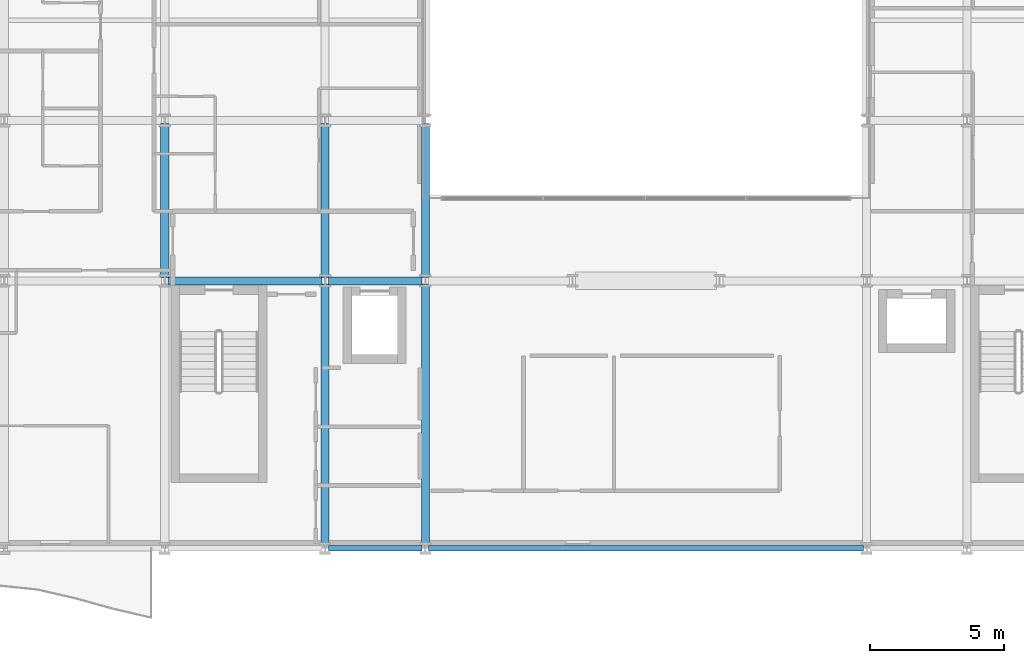
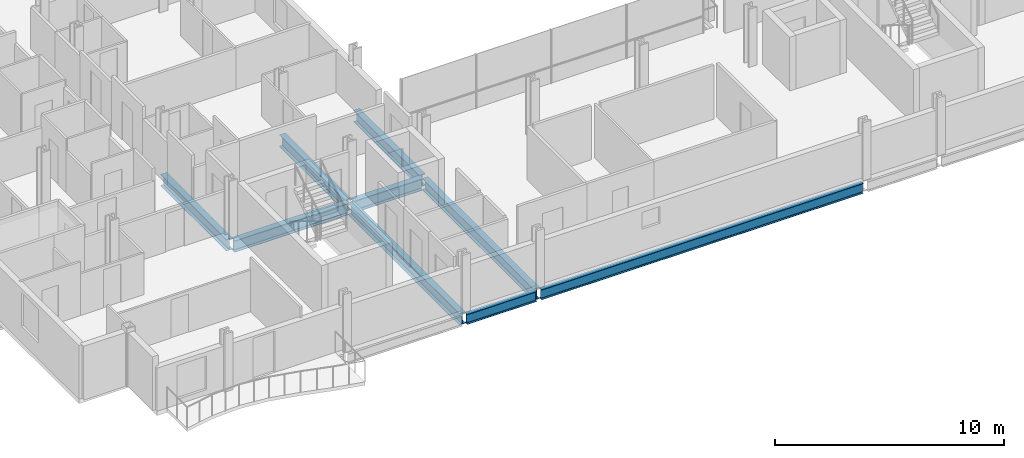
# One storey, part 3 of 40: 9 beams.
"""IFC4 building model written with IfcOpenShell, lengths in metres."""

from ifc_helpers import new_model, si_unit, direction, frame, origin, origin_2d, place, context, subcontext, project, spatial, i_section, extrude, material, material_profile, profile_set, type_object, element, save


model = new_model("IFC4")

# Units and contexts
model_context = context("Model", 3, precision=1e-05, world=origin(), true_north=direction((0.0, 1.0)))
body_context = subcontext(model_context, "Body", "Model", "MODEL_VIEW")
ifc_project = project(units=[si_unit("LENGTHUNIT", "METRE"), si_unit("AREAUNIT", "SQUARE_METRE"), si_unit("VOLUMEUNIT", "CUBIC_METRE"), si_unit("PLANEANGLEUNIT", "RADIAN"), si_unit("MASSUNIT", "GRAM", prefix="KILO")], contexts=[model_context])

# Site, building, storey
site_placement = place(None, origin())
site = spatial("IfcSite", under=ifc_project, at=site_placement, CompositionType="ELEMENT")
building_placement = place(site_placement, origin())
building = spatial("IfcBuilding", under=site, at=building_placement, Name="Brevholm Reach", CompositionType="ELEMENT")
storey_placement = place(building_placement, frame((0.0, 0.0, 31.10009765625)))
storey = spatial("IfcBuildingStorey", under=building, at=storey_placement, Name="L07", CompositionType="ELEMENT", Elevation=31.10009765625)

# Beams
ifc_material_1 = material(Name="Structural Steel S355J2", Category="steel")
ifc_material_profile_1 = material_profile(ifc_material_1, i_section(OverallWidth=0.210693359375, OverallDepth=0.53955078125, WebThickness=0.01171875, FlangeThickness=0.018798828125, FilletRadius=0.0126953125, at=origin_2d()), Name="UKB 533x210x109")
ifc_profile_set_1 = profile_set([ifc_material_profile_1], Name="Structural Steel S355J2")
beam_type_1 = type_object("IfcBeamType", Name="BM-SP539", PredefinedType="SPANDREL", material=ifc_profile_set_1)
beam_1_placement = place(storey_placement, frame((18.1201171875, 0.0, -0.499755859375), z_axis=(1.0, 0.0, 0.0), x_axis=(0.0, 1.0, 0.0)))
element("IfcBeam", 1, at=beam_1_placement, inside=storey, type_object=beam_type_1, Name="L07 SP-01B Framing Beam", PredefinedType="SPANDREL", context=body_context, shape_type="SweptSolid", body=[
    extrude(i_section(OverallWidth=0.210693359375, OverallDepth=0.53955078125, WebThickness=0.01171875, FlangeThickness=0.018798828125, FilletRadius=0.0126953125, at=origin_2d()), origin(), (0.0, 0.0, 1.0), 3.509765625),
])
beam_2_placement = place(storey_placement, frame((21.8701171875, 0.0, -0.499755859375), z_axis=(1.0, 0.0, 0.0), x_axis=(0.0, 1.0, 0.0)))
element("IfcBeam", 2, at=beam_2_placement, inside=storey, type_object=beam_type_1, Name="L07 SP-01B Framing Beam", PredefinedType="SPANDREL", context=body_context, shape_type="SweptSolid", body=[
    extrude(i_section(OverallWidth=0.210693359375, OverallDepth=0.53955078125, WebThickness=0.01171875, FlangeThickness=0.018798828125, FilletRadius=0.0126953125, at=origin_2d()), origin(), (0.0, 0.0, 1.0), 16.259765625),
])
ifc_material_2 = material(Name="Structural Steel S355J2", Category="steel")
ifc_material_profile_2 = material_profile(ifc_material_2, i_section(OverallWidth=0.30712890625, OverallDepth=0.6201171875, WebThickness=0.01416015625, FlangeThickness=0.023681640625, FilletRadius=0.0166015625, at=origin_2d()), Name="UKB 610x305x179")
ifc_profile_set_2 = profile_set([ifc_material_profile_2], Name="Structural Steel S355J2")
beam_type_2 = type_object("IfcBeamType", Name="BM-UKB610H", PredefinedType="USERDEFINED", material=ifc_profile_set_2)
beam_3_placement = place(storey_placement, frame((12.1201171875, 10.0, -0.540283203125), z_axis=(1.0, 0.0, 0.0), x_axis=(0.0, 1.0, 0.0)))
element("IfcBeam", 3, at=beam_3_placement, inside=storey, type_object=beam_type_2, Name="L07 G-06 Framing Beam", ObjectType="GIRDER", PredefinedType="USERDEFINED", context=body_context, shape_type="SweptSolid", body=[
    extrude(i_section(OverallWidth=0.30712890625, OverallDepth=0.6201171875, WebThickness=0.01416015625, FlangeThickness=0.023681640625, FilletRadius=0.0166015625, at=origin_2d()), origin(), (0.0, 0.0, 1.0), 5.759765625),
])
beam_4_placement = place(storey_placement, frame((18.1201171875, 10.0, -0.540283203125), z_axis=(1.0, 0.0, 0.0), x_axis=(0.0, 1.0, 0.0)))
element("IfcBeam", 4, at=beam_4_placement, inside=storey, type_object=beam_type_2, Name="L07 G-06 Framing Beam", ObjectType="GIRDER", PredefinedType="USERDEFINED", context=body_context, shape_type="SweptSolid", body=[
    extrude(i_section(OverallWidth=0.30712890625, OverallDepth=0.6201171875, WebThickness=0.01416015625, FlangeThickness=0.023681640625, FilletRadius=0.0166015625, at=origin_2d()), origin(), (0.0, 0.0, 1.0), 3.509765625),
])
beam_5_placement = place(storey_placement, frame((12.0, 10.1201171875, -0.540283203125), z_axis=(0.0, 1.0, 0.0), x_axis=(-1.0, 0.0, 0.0)))
element("IfcBeam", 5, at=beam_5_placement, inside=storey, type_object=beam_type_2, Name="L07 G-06 Framing Beam", ObjectType="GIRDER", PredefinedType="USERDEFINED", context=body_context, shape_type="SweptSolid", body=[
    extrude(i_section(OverallWidth=0.30712890625, OverallDepth=0.6201171875, WebThickness=0.01416015625, FlangeThickness=0.023681640625, FilletRadius=0.0166015625, at=origin_2d()), origin(), (0.0, 0.0, 1.0), 5.759765625),
])
beam_6_placement = place(storey_placement, frame((18.0, 0.1201171875, -0.540283203125), z_axis=(0.0, 1.0, 0.0), x_axis=(-1.0, 0.0, 0.0)))
element("IfcBeam", 6, at=beam_6_placement, inside=storey, type_object=beam_type_2, Name="L07 G-06 Framing Beam", ObjectType="GIRDER", PredefinedType="USERDEFINED", context=body_context, shape_type="SweptSolid", body=[
    extrude(i_section(OverallWidth=0.30712890625, OverallDepth=0.6201171875, WebThickness=0.01416015625, FlangeThickness=0.023681640625, FilletRadius=0.0166015625, at=origin_2d()), origin(), (0.0, 0.0, 1.0), 9.759765625),
])
beam_7_placement = place(storey_placement, frame((18.0, 10.1201171875, -0.540283203125), z_axis=(0.0, 1.0, 0.0), x_axis=(-1.0, 0.0, 0.0)))
element("IfcBeam", 7, at=beam_7_placement, inside=storey, type_object=beam_type_2, Name="L07 G-06 Framing Beam", ObjectType="GIRDER", PredefinedType="USERDEFINED", context=body_context, shape_type="SweptSolid", body=[
    extrude(i_section(OverallWidth=0.30712890625, OverallDepth=0.6201171875, WebThickness=0.01416015625, FlangeThickness=0.023681640625, FilletRadius=0.0166015625, at=origin_2d()), origin(), (0.0, 0.0, 1.0), 5.759765625),
])
beam_8_placement = place(storey_placement, frame((21.75, 0.1201171875, -0.540283203125), z_axis=(0.0, 1.0, 0.0), x_axis=(-1.0, 0.0, 0.0)))
element("IfcBeam", 8, at=beam_8_placement, inside=storey, type_object=beam_type_2, Name="L07 G-06 Framing Beam", ObjectType="GIRDER", PredefinedType="USERDEFINED", context=body_context, shape_type="SweptSolid", body=[
    extrude(i_section(OverallWidth=0.30712890625, OverallDepth=0.6201171875, WebThickness=0.01416015625, FlangeThickness=0.023681640625, FilletRadius=0.0166015625, at=origin_2d()), origin(), (0.0, 0.0, 1.0), 9.759765625),
])
beam_9_placement = place(storey_placement, frame((21.75, 10.1201171875, -0.540283203125), z_axis=(0.0, 1.0, 0.0), x_axis=(-1.0, 0.0, 0.0)))
element("IfcBeam", 9, at=beam_9_placement, inside=storey, type_object=beam_type_2, Name="L07 G-06 Framing Beam", ObjectType="GIRDER", PredefinedType="USERDEFINED", context=body_context, shape_type="SweptSolid", body=[
    extrude(i_section(OverallWidth=0.30712890625, OverallDepth=0.6201171875, WebThickness=0.01416015625, FlangeThickness=0.023681640625, FilletRadius=0.0166015625, at=origin_2d()), origin(), (0.0, 0.0, 1.0), 5.759765625),
])

save(model, "model.ifc")
